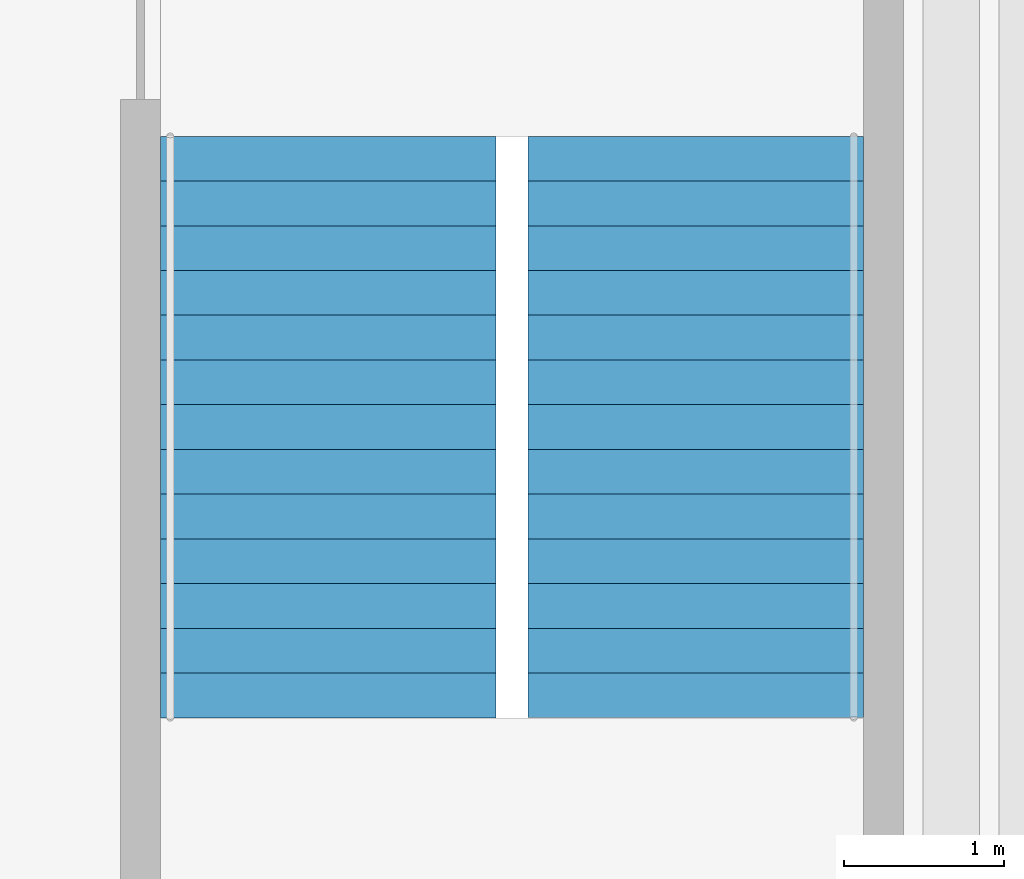
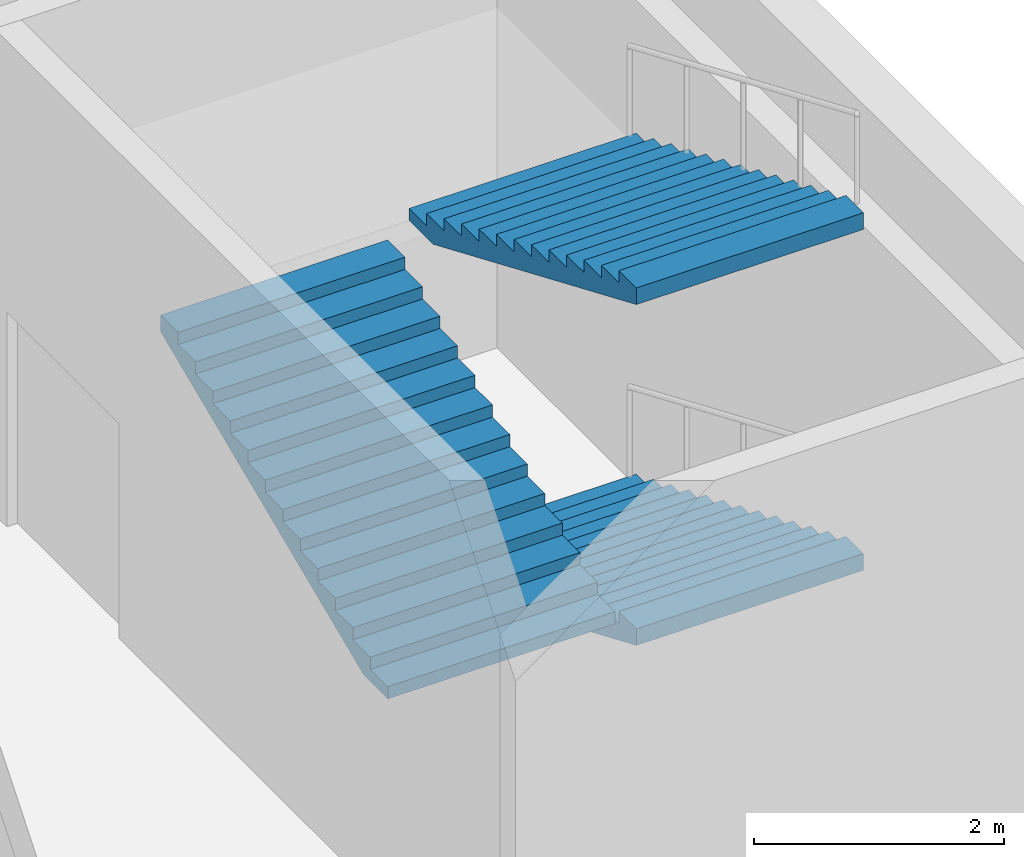
# One storey, part 18 of 28: 3 stair flights, 1 element without a shape of its own.
"""IFC4 building model written with IfcOpenShell, lengths in metres."""

from ifc_helpers import new_model, si_unit, direction, frame, origin, place, context, subcontext, project, spatial, polyline, outline, extrude, material, type_object, element, aggregate, save


model = new_model("IFC4")

# Units and contexts
model_context = context("Model", 3, precision=1e-05, world=origin(), true_north=direction((0.0, 1.0)))
body_context = subcontext(model_context, "Body", "Model", "MODEL_VIEW")
ifc_project = project(units=[si_unit("LENGTHUNIT", "METRE"), si_unit("AREAUNIT", "SQUARE_METRE"), si_unit("VOLUMEUNIT", "CUBIC_METRE"), si_unit("PLANEANGLEUNIT", "RADIAN"), si_unit("MASSUNIT", "GRAM", prefix="KILO")], contexts=[model_context])

# Site, building, storey
site_placement = place(None, origin())
site = spatial("IfcSite", under=ifc_project, at=site_placement, CompositionType="ELEMENT")
building_placement = place(site_placement, origin())
building = spatial("IfcBuilding", under=site, at=building_placement, Name="Loomwork Tower", CompositionType="ELEMENT")
storey_placement = place(building_placement, frame((0.0, 0.0, 6.0)))
storey = spatial("IfcBuildingStorey", under=building, at=storey_placement, Name="L01", CompositionType="ELEMENT", Elevation=6.0)

# Stair, stair flights
ifc_material_1 = material(Name="Concrete 5000 psi (34 MPa) precast stair", Category="concrete")
stair_type = type_object("IfcStairType", Name="Stair ST-S4P 42 risers of 119 4400 wide", PredefinedType="HALF_TURN_STAIR", material=ifc_material_1)
stair_placement = place(storey_placement, origin())
stair = element("IfcStair", 1, at=stair_placement, inside=storey, type_object=stair_type, Name="Podium stair PS4 L01", PredefinedType="HALF_TURN_STAIR")
ifc_material_2 = material(Name="Concrete 5000 psi (34 MPa) precast stair", Category="concrete")
stair_flight_type = type_object("IfcStairFlightType", Name="Stair flight ST-S4P 14 risers of 119 2100 wide", PredefinedType="STRAIGHT", material=ifc_material_2)
stair_flight_1_placement = place(storey_placement, frame((61.39990234375, 42.320068359375, 0.0), z_axis=(0.0, 0.0, 1.0), x_axis=(0.0, -1.0, 0.0)))
stair_flight_1 = element("IfcStairFlight", 2, at=stair_flight_1_placement, type_object=stair_flight_type, Name="ST-S4P flight 1", NumberOfRisers=14, NumberOfTreads=13, PredefinedType="STRAIGHT", RiserHeight=0.119047619, TreadLength=0.28, context=body_context, shape_type="SweptSolid", body=[
    extrude(outline(polyline([(0.0, 0.0), (0.0, 0.119140625), (0.280029296875, 0.119140625), (0.280029296875, 0.238037109375), (0.56005859375, 0.238037109375), (0.56005859375, 0.357177734375), (0.840087890625, 0.357177734375), (0.840087890625, 0.47607421875), (1.1201171875, 0.47607421875), (1.1201171875, 0.59521484375), (1.39990234375, 0.59521484375), (1.39990234375, 0.71435546875), (1.679931640625, 0.71435546875), (1.679931640625, 0.833251953125), (1.9599609375, 0.833251953125), (1.9599609375, 0.952392578125), (2.239990234375, 0.952392578125), (2.239990234375, 1.071533203125), (2.52001953125, 1.071533203125), (2.52001953125, 1.1904296875), (2.800048828125, 1.1904296875), (2.800048828125, 1.3095703125), (3.080078125, 1.3095703125), (3.080078125, 1.428466796875), (3.360107421875, 1.428466796875), (3.360107421875, 1.547607421875), (3.639892578125, 1.547607421875), (3.639892578125, 1.666748046875), (3.639892578125, 1.384765625), (0.383056640625, 0.0), (0.0, 0.0)])), frame((0.0, 1.050048828125, 0.0), z_axis=(0.0, -1.0, 0.0), x_axis=(1.0, 0.0, 0.0)), (0.0, 0.0, 1.0), 2.10009765625),
])
stair_flight_2_placement = place(storey_placement, frame((59.10009765625, 38.679931640625, 1.666748046875), z_axis=(0.0, 0.0, 1.0), x_axis=(0.0, 1.0, 0.0)))
stair_flight_2 = element("IfcStairFlight", 3, at=stair_flight_2_placement, type_object=stair_flight_type, Name="ST-S4P flight 2", NumberOfRisers=14, NumberOfTreads=13, PredefinedType="STRAIGHT", RiserHeight=0.119047619, TreadLength=0.28, context=body_context, shape_type="SweptSolid", body=[
    extrude(outline(polyline([(0.0, 0.0), (0.0, 0.119140625), (0.280029296875, 0.119140625), (0.280029296875, 0.238037109375), (0.56005859375, 0.238037109375), (0.56005859375, 0.357177734375), (0.840087890625, 0.357177734375), (0.840087890625, 0.47607421875), (1.1201171875, 0.47607421875), (1.1201171875, 0.59521484375), (1.39990234375, 0.59521484375), (1.39990234375, 0.71435546875), (1.679931640625, 0.71435546875), (1.679931640625, 0.833251953125), (1.9599609375, 0.833251953125), (1.9599609375, 0.952392578125), (2.239990234375, 0.952392578125), (2.239990234375, 1.071533203125), (2.52001953125, 1.071533203125), (2.52001953125, 1.1904296875), (2.800048828125, 1.1904296875), (2.800048828125, 1.3095703125), (3.080078125, 1.3095703125), (3.080078125, 1.428466796875), (3.360107421875, 1.428466796875), (3.360107421875, 1.547607421875), (3.639892578125, 1.547607421875), (3.639892578125, 1.666748046875), (3.639892578125, 1.384765625), (0.383056640625, 0.0), (0.0, 0.0)])), frame((0.0, 1.050048828125, 0.0), z_axis=(0.0, -1.0, 0.0), x_axis=(1.0, 0.0, 0.0)), (0.0, 0.0, 1.0), 2.10009765625),
])
stair_flight_3_placement = place(storey_placement, frame((61.39990234375, 42.320068359375, 3.333251953125), z_axis=(0.0, 0.0, 1.0), x_axis=(0.0, -1.0, 0.0)))
stair_flight_3 = element("IfcStairFlight", 4, at=stair_flight_3_placement, type_object=stair_flight_type, Name="ST-S4P flight 3", NumberOfRisers=14, NumberOfTreads=13, PredefinedType="STRAIGHT", RiserHeight=0.119047619, TreadLength=0.28, context=body_context, shape_type="SweptSolid", body=[
    extrude(outline(polyline([(0.0, 0.0), (0.0, 0.119140625), (0.280029296875, 0.119140625), (0.280029296875, 0.238037109375), (0.56005859375, 0.238037109375), (0.56005859375, 0.357177734375), (0.840087890625, 0.357177734375), (0.840087890625, 0.47607421875), (1.1201171875, 0.47607421875), (1.1201171875, 0.59521484375), (1.39990234375, 0.59521484375), (1.39990234375, 0.71435546875), (1.679931640625, 0.71435546875), (1.679931640625, 0.833251953125), (1.9599609375, 0.833251953125), (1.9599609375, 0.952392578125), (2.239990234375, 0.952392578125), (2.239990234375, 1.071533203125), (2.52001953125, 1.071533203125), (2.52001953125, 1.1904296875), (2.800048828125, 1.1904296875), (2.800048828125, 1.3095703125), (3.080078125, 1.3095703125), (3.080078125, 1.428466796875), (3.360107421875, 1.428466796875), (3.360107421875, 1.547607421875), (3.639892578125, 1.547607421875), (3.639892578125, 1.666748046875), (3.639892578125, 1.384765625), (0.383056640625, 0.0), (0.0, 0.0)])), frame((0.0, 1.050048828125, 0.0), z_axis=(0.0, -1.0, 0.0), x_axis=(1.0, 0.0, 0.0)), (0.0, 0.0, 1.0), 2.10009765625),
])
aggregate(stair, [stair_flight_1, stair_flight_2, stair_flight_3])

save(model, "model.ifc")
